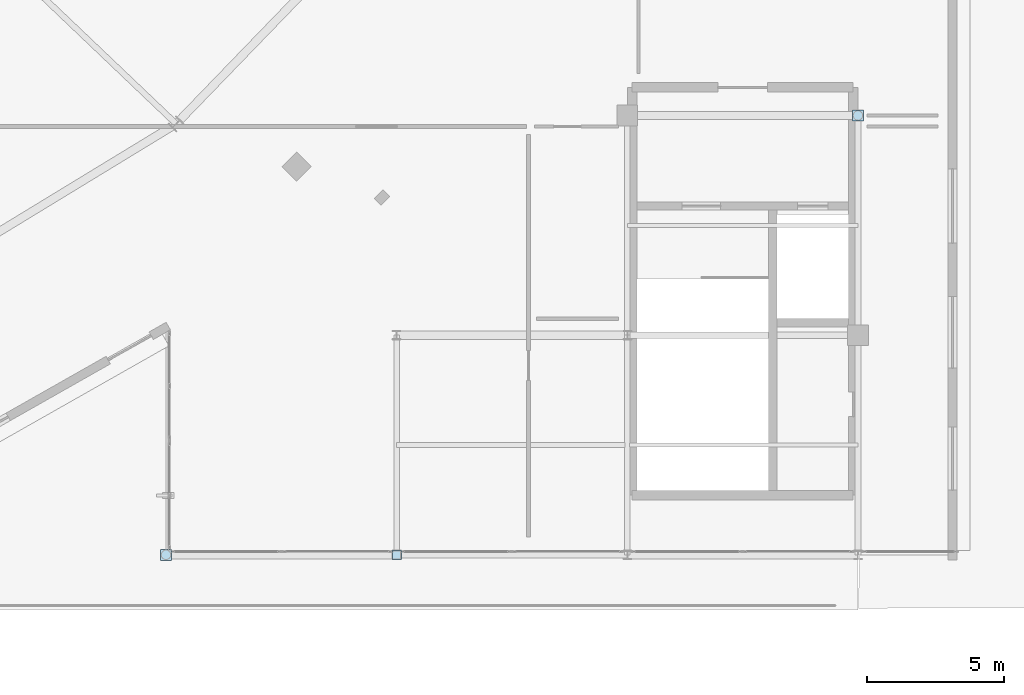
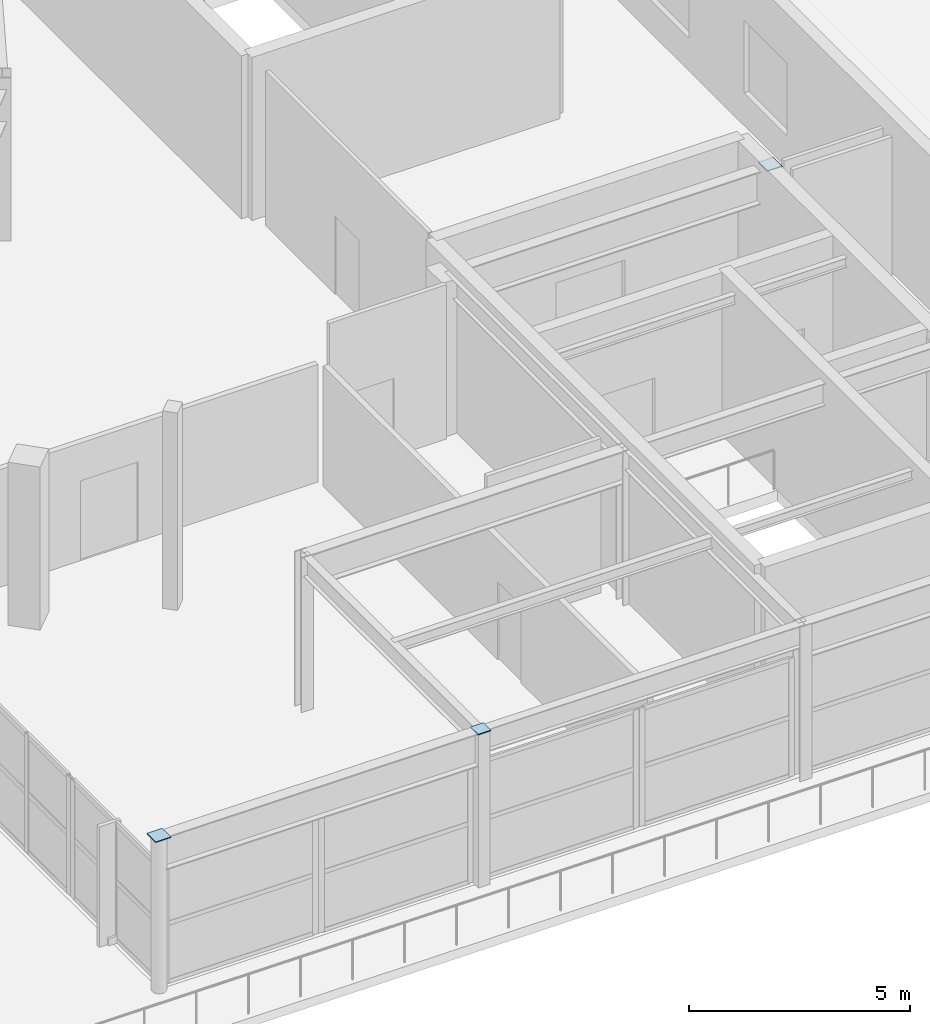
# One storey, part 82 of 123: 3 plates.
"""IFC4 building model written with IfcOpenShell, lengths in metres."""

from ifc_helpers import new_model, si_unit, direction, frame, origin, origin_2d, place, context, subcontext, project, spatial, rectangle, extrude, material, layer, layer_set, type_object, element, save


model = new_model("IFC4")

# Units and contexts
model_context = context("Model", 3, precision=1e-05, world=origin(), true_north=direction((0.0, 1.0)))
body_context = subcontext(model_context, "Body", "Model", "MODEL_VIEW")
ifc_project = project(units=[si_unit("LENGTHUNIT", "METRE"), si_unit("AREAUNIT", "SQUARE_METRE"), si_unit("VOLUMEUNIT", "CUBIC_METRE"), si_unit("PLANEANGLEUNIT", "RADIAN"), si_unit("MASSUNIT", "GRAM", prefix="KILO")], contexts=[model_context])

# Site, building, storey
site_placement = place(None, origin())
site = spatial("IfcSite", under=ifc_project, at=site_placement, CompositionType="ELEMENT")
building_placement = place(site_placement, origin())
building = spatial("IfcBuilding", under=site, at=building_placement, Name="Kalgoora Escarpment Arena", CompositionType="ELEMENT")
storey_placement = place(building_placement, frame((0.0, 0.0, 9.89990234375)))
storey = spatial("IfcBuildingStorey", under=building, at=storey_placement, Name="L02", CompositionType="ELEMENT", Elevation=9.89990234375)

# Plates
ifc_material_1 = material(Name="Structural steel Grade 350 (350 MPa)", Category="steel")
ifc_layer_1 = layer(ifc_material_1, 0.02490234375)
ifc_layer_set_1 = layer_set([ifc_layer_1], Name="PLT-CAP-300")
plate_type_1 = type_object("IfcPlateType", Name="PLT-CAP-300", PredefinedType="USERDEFINED", material=ifc_layer_set_1)
plate_placement = place(storey_placement, frame((151.199951171875, 8.0, 4.235107421875), z_axis=(0.0, 0.0, 1.0), x_axis=(1.0, 0.0, 0.0)))
element("IfcPlate", 1, at=plate_placement, inside=storey, type_object=plate_type_1, Name="COL-G19-B-L02 end cap plate", ObjectType="FLANGE PLATE", PredefinedType="USERDEFINED", context=body_context, shape_type="SweptSolid", body=[
    extrude(rectangle(XDim=0.340087890625, YDim=0.340087890625, at=origin_2d()), origin(), (0.0, 0.0, 1.0), 0.02490234375),
])
ifc_material_2 = material(Name="Structural steel Grade 350 (350 MPa)", Category="steel")
ifc_layer_2 = layer(ifc_material_2, 0.02490234375)
ifc_layer_set_2 = layer_set([ifc_layer_2], Name="PLT-CAP-356")
plate_type_2 = type_object("IfcPlateType", Name="PLT-CAP-356", PredefinedType="USERDEFINED", material=ifc_layer_set_2)
for number, where, z_axis, x_axis, name in (
    (2, (142.800048828125, 8.0, 4.235107421875), (0.0, 0.0, 1.0), (1.0, 0.0, 0.0), "COL-G18-B-L02 end cap plate"),
    (3, (168.0, 24.0, 4.235107421875), (0.0, 0.0, 1.0), (1.0, 0.0, 0.0), "COL-G21-D-L02 end cap plate"),
):
    element("IfcPlate", number, at=place(storey_placement, frame(where, z_axis=z_axis, x_axis=x_axis)), inside=storey, type_object=plate_type_2, Name=name, ObjectType="FLANGE PLATE", PredefinedType="USERDEFINED", context=body_context, shape_type="SweptSolid", body=[
        extrude(rectangle(XDim=0.39599609375, YDim=0.39599609375, at=origin_2d()), origin(), (0.0, 0.0, 1.0), 0.02490234375),
    ])

save(model, "model.ifc")
